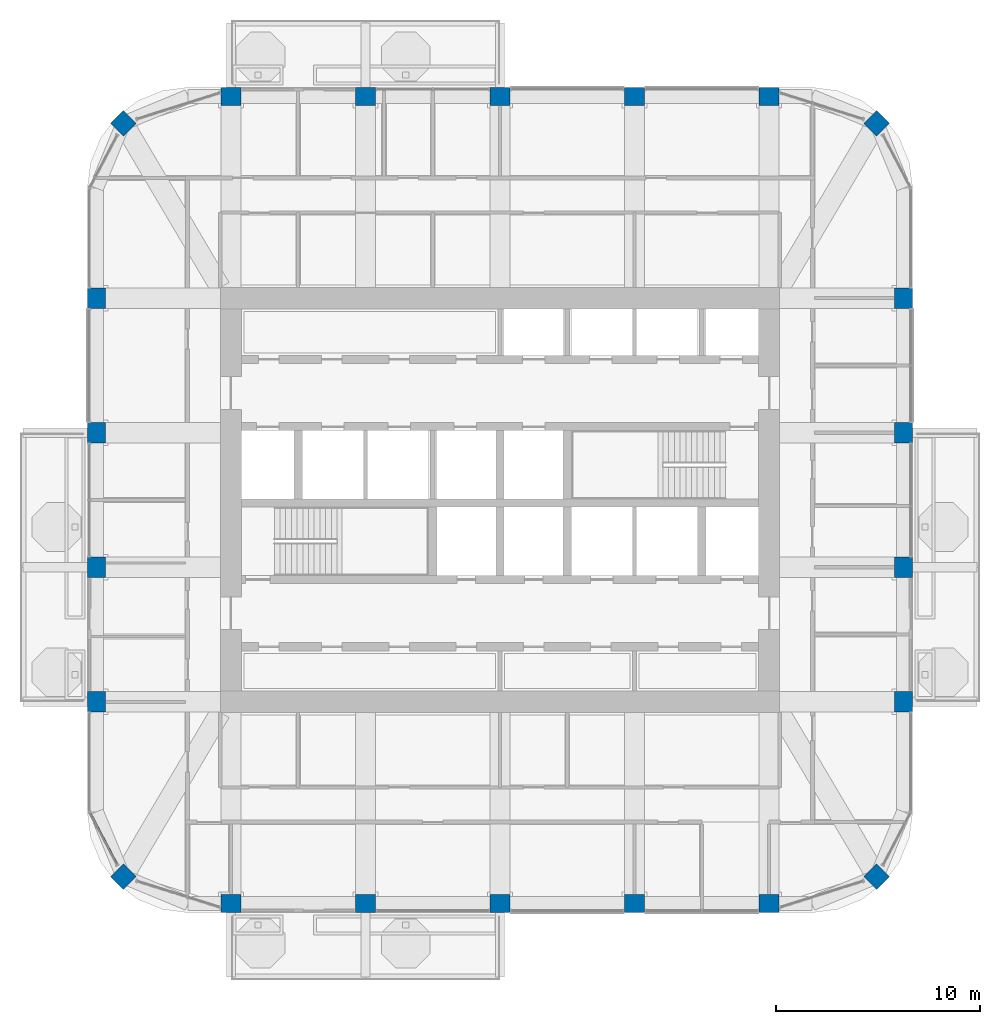
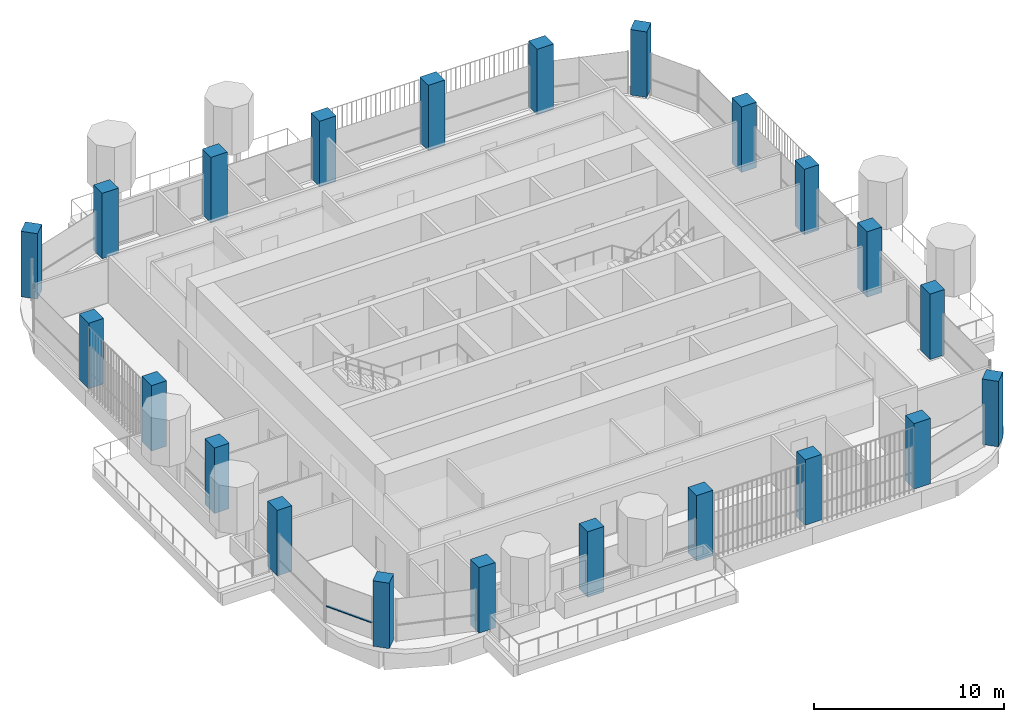
# One storey, part 1 of 20: 22 columns, 1 member, 1 element without a shape of its own.
"""IFC4 building model written with IfcOpenShell, lengths in metres."""

import ifcopenshell
import ifcopenshell.guid

model = None  # the IFC model being written
_history = None  # IfcOwnerHistory: only IFC2X3 demands one
_inside = {}  # id of a spatial element -> (the spatial element, [elements in it])
_under = {}  # id of a project, library or spatial element -> (it, [spatial elements below it])
_declared = {}  # id of a project -> (the project, [libraries it declares])
_typed = {}  # id of a type object -> (the type object, [elements of that type])
_made_of = {}  # id of a material, layer set ... -> (it, [elements and type objects made of it])


def new_model(schema):
    """Start an empty IFC model of exactly this schema.

    Asked for "IFC4X3", IfcOpenShell would pick the latest addendum, in which some entities
    have other attributes; the version numbers below select the first issue.
    IFC2X3 requires an IfcOwnerHistory on every rooted entity: one is made here for all.
    """
    global model, _history
    if schema == "IFC4X3":
        model = ifcopenshell.file(schema_version=(4, 3, 0, 0))
    else:
        model = ifcopenshell.file(schema=schema)
    _inside.clear()
    _under.clear()
    _declared.clear()
    _typed.clear()
    _made_of.clear()
    _history = None
    if model.schema == "IFC2X3":
        org = make("IfcOrganization", Name="unknown")
        user = make(
            "IfcPersonAndOrganization",
            ThePerson=make("IfcPerson", FamilyName="unknown"),
            TheOrganization=org,
        )
        app = make(
            "IfcApplication",
            ApplicationDeveloper=org,
            Version="unknown",
            ApplicationFullName="unknown",
            ApplicationIdentifier="unknown",
        )
        _history = make(
            "IfcOwnerHistory",
            OwningUser=user,
            OwningApplication=app,
            ChangeAction="ADDED",
            CreationDate=0,
        )
    return model


def make(cls, **values):
    """One entity of the class cls with the attributes given. An attribute that is None is left unset."""
    return model.create_entity(
        cls, **{name: value for name, value in values.items() if value is not None}
    )


def rooted(cls, **values):
    """An entity with a GlobalId (a new one), such as an element, a storey or a relation."""
    return make(cls, GlobalId=ifcopenshell.guid.new(), OwnerHistory=_history, **values)


def si_unit(unit_type, name, prefix=None):
    """IfcSIUnit, for example si_unit("LENGTHUNIT", "METRE", prefix="MILLI")."""
    return make("IfcSIUnit", UnitType=unit_type, Prefix=prefix, Name=name)


def assignment(units):
    """IfcUnitAssignment: the units of a project."""
    return None if units is None else make("IfcUnitAssignment", Units=units)


def point(xyz):
    """IfcCartesianPoint."""
    return None if xyz is None else make("IfcCartesianPoint", Coordinates=xyz)


def direction(xyz):
    """IfcDirection."""
    return None if xyz is None else make("IfcDirection", DirectionRatios=xyz)


def frame(location, z_axis=None, x_axis=None):
    """IfcAxis2Placement3D, a coordinate frame: its origin and axes. An axis left out is left unset."""
    return make(
        "IfcAxis2Placement3D",
        Location=point(location),
        Axis=direction(z_axis),
        RefDirection=direction(x_axis),
    )


def frame_2d(location, x_axis=None):
    """IfcAxis2Placement2D, a coordinate frame in the plane: its origin and x axis."""
    return make(
        "IfcAxis2Placement2D", Location=point(location), RefDirection=direction(x_axis)
    )


def origin():
    """The frame at (0, 0, 0) with its axes left unset."""
    return frame((0.0, 0.0, 0.0))


def origin_2d():
    """The frame at (0, 0) in the plane with its x axis left unset."""
    return frame_2d((0.0, 0.0))


def place(relative_to, where):
    """IfcLocalPlacement: puts the frame where relative to a parent placement (None: the world)."""
    return make(
        "IfcLocalPlacement", PlacementRelTo=relative_to, RelativePlacement=where
    )


def context(
    kind, dimensions, precision=None, world=None, true_north=None, identifier=None
):
    """IfcGeometricRepresentationContext, for example the 3D "Model" context."""
    return make(
        "IfcGeometricRepresentationContext",
        ContextIdentifier=identifier,
        ContextType=kind,
        CoordinateSpaceDimension=dimensions,
        Precision=precision,
        WorldCoordinateSystem=world,
        TrueNorth=true_north,
    )


def subcontext(parent, identifier, kind, view, scale=None):
    """IfcGeometricRepresentationSubContext, for example "Body" below "Model"."""
    return make(
        "IfcGeometricRepresentationSubContext",
        ContextIdentifier=identifier,
        ContextType=kind,
        ParentContext=parent,
        TargetScale=scale,
        TargetView=view,
    )


def project(units=None, contexts=None):
    """IfcProject with its units and contexts."""
    return rooted(
        "IfcProject",
        Name="project",
        RepresentationContexts=contexts,
        UnitsInContext=assignment(units),
    )


def spatial(cls, under=None, at=None, **own):
    """A site, building, storey or space (cls), placed at a placement, below another one or the project."""
    s = rooted(cls, ObjectPlacement=at, **own)
    if under is not None:
        _under.setdefault(under.id(), (under, []))[1].append(s)
    return s


def profile(cls, at=None, kind="AREA", **sizes):
    """A parametric profile (cls). Its sizes go by their IFC names, for example OverallWidth=200.0."""
    return make(cls, ProfileType=kind, Position=at, **sizes)


def rectangle(**sizes):
    """IfcRectangleProfileDef."""
    return profile("IfcRectangleProfileDef", **sizes)


def extrude(swept, where, along, depth):
    """IfcExtrudedAreaSolid: the profile swept, set in the frame where, extruded along a direction by depth."""
    return make(
        "IfcExtrudedAreaSolid",
        SweptArea=swept,
        Position=where,
        ExtrudedDirection=direction(along),
        Depth=depth,
    )


def shape(context_of_items, identifier, shape_type, items):
    """IfcShapeRepresentation: the items that make up one representation, for example the "Body"."""
    return make(
        "IfcShapeRepresentation",
        ContextOfItems=context_of_items,
        RepresentationIdentifier=identifier,
        RepresentationType=shape_type,
        Items=items,
    )


def material(Name=None, Category=None):
    """IfcMaterial."""
    return make("IfcMaterial", Name=Name, Category=Category)


def material_profile(
    of_material, cross_section, Name=None, Category=None, Priority=None
):
    """IfcMaterialProfile: a cross section and its material."""
    return make(
        "IfcMaterialProfile",
        Name=Name,
        Material=of_material,
        Profile=cross_section,
        Priority=Priority,
        Category=Category,
    )


def profile_set(profiles, Name=None, composite=None):
    """IfcMaterialProfileSet."""
    return make(
        "IfcMaterialProfileSet",
        Name=Name,
        MaterialProfiles=profiles,
        CompositeProfile=composite,
    )


def made_of(thing, what):
    """Note that an element or type object is made of a material, layer set ...; save() writes the relation."""
    if what is not None:
        _made_of.setdefault(what.id(), (what, []))[1].append(thing)
    return thing


def type_object(cls, material=None, **own):
    """A type object (cls), such as IfcWallType, which elements share."""
    return made_of(rooted(cls, **own), material)


def element(
    cls,
    number,
    at=None,
    inside=None,
    cuts=None,
    type_object=None,
    material=None,
    context=None,
    identifier="Body",
    shape_type=None,
    held_by="IfcProductDefinitionShape",
    body=None,
    shapes=None,
    **own,
):
    """One element of the class cls, such as IfcWall. Its Tag is "e" and its number.

    at: its placement. inside: the storey or other place that contains it. cuts: it is an
    opening in that element (IfcRelVoidsElement). A single representation is given by context,
    identifier, shape_type and body (its items); several are given by shapes. held_by: the class
    of the entity that holds the representations. save() writes the other relations.
    """
    e = rooted(cls, Tag="e%d" % number, ObjectPlacement=at, **own)
    if body is not None:
        shapes = [shape(context, identifier, shape_type, body)]
    if shapes is not None:
        e.Representation = make(held_by, Representations=shapes)
    if inside is not None:
        _inside.setdefault(inside.id(), (inside, []))[1].append(e)
    if cuts is not None:
        rooted(
            "IfcRelVoidsElement", RelatingBuildingElement=cuts, RelatedOpeningElement=e
        )
    if type_object is not None:
        _typed.setdefault(type_object.id(), (type_object, []))[1].append(e)
    return made_of(e, material)


def aggregate(whole, parts):
    """IfcRelAggregates: a whole, such as a stair, and the parts it consists of."""
    return rooted("IfcRelAggregates", RelatingObject=whole, RelatedObjects=parts)


def save(model, path):
    """Write the relations noted so far, then the file.

    IfcRelAggregates (storeys below a building ...), IfcRelContainedInSpatialStructure (elements
    in a storey), IfcRelDefinesByType, IfcRelAssociatesMaterial and IfcRelDeclares: one each for
    every whole, place, type object, material and project.
    """
    for whole, parts in _under.values():
        aggregate(whole, parts)
    for where, things in _inside.values():
        rooted(
            "IfcRelContainedInSpatialStructure",
            RelatedElements=things,
            RelatingStructure=where,
        )
    for kind, things in _typed.values():
        rooted("IfcRelDefinesByType", RelatedObjects=things, RelatingType=kind)
    for what, things in _made_of.values():
        rooted("IfcRelAssociatesMaterial", RelatedObjects=things, RelatingMaterial=what)
    for by, libraries in _declared.values():
        rooted("IfcRelDeclares", RelatingContext=by, RelatedDefinitions=libraries)
    model.write(path)


model = new_model("IFC4")

# Units and contexts
model_context = context("Model", 3, precision=1e-05, world=origin(), true_north=direction((0.0, 1.0)))
body_context = subcontext(model_context, "Body", "Model", "MODEL_VIEW")
ifc_project = project(units=[si_unit("LENGTHUNIT", "METRE"), si_unit("AREAUNIT", "SQUARE_METRE"), si_unit("VOLUMEUNIT", "CUBIC_METRE"), si_unit("PLANEANGLEUNIT", "RADIAN"), si_unit("MASSUNIT", "GRAM", prefix="KILO")], contexts=[model_context])

# Site, building, storey
site_placement = place(None, origin())
site = spatial("IfcSite", under=ifc_project, at=site_placement, CompositionType="ELEMENT")
building_placement = place(site_placement, origin())
building = spatial("IfcBuilding", under=site, at=building_placement, Name="Cobogo Forest Laboratory Tower", CompositionType="ELEMENT")
storey_placement = place(building_placement, frame((0.0, 0.0, 279.60009765625)))
storey = spatial("IfcBuildingStorey", under=building, at=storey_placement, Name="L64", CompositionType="ELEMENT", Elevation=279.60009765625)

# Columns
ifc_material_1 = material(Name="Concrete HA-50 (C50/60)", Category="concrete")
ifc_material_profile_1 = material_profile(ifc_material_1, rectangle(XDim=1.0, YDim=0.89990234375, at=origin_2d()), Name="RC 900x1000")
ifc_profile_set_1 = profile_set([ifc_material_profile_1], Name="Concrete HA-50 (C50/60)")
column_type_1 = type_object("IfcColumnType", Name="Blade column 900x1000", PredefinedType="COLUMN", material=ifc_profile_set_1)
for number, where, z_axis, x_axis, name in (
    (1, (13.199951171875, 3.300048828125, 0.0), (0.0, 0.0, 1.0), (1.0, 0.0, 0.0), "Column 3-A.1 L64"),
    (2, (19.800048828125, 3.300048828125, 0.0), (0.0, 0.0, 1.0), (1.0, 0.0, 0.0), "Column 4-A.1 L64"),
    (3, (26.39990234375, 3.300048828125, 0.0), (0.0, 0.0, 1.0), (1.0, 0.0, 0.0), "Column 5-A.1 L64"),
    (4, (33.0, 3.300048828125, 0.0), (0.0, 0.0, 1.0), (1.0, 0.0, 0.0), "Column 6-A.1 L64"),
    (5, (39.60009765625, 3.300048828125, 0.0), (0.0, 0.0, 1.0), (1.0, 0.0, 0.0), "Column 7-A.1 L64"),
    (6, (6.60009765625, 13.199951171875, 0.0), (0.0, 0.0, 1.0), (0.0, 1.0, 0.0), "Column 2-C L64"),
    (7, (46.199951171875, 13.199951171875, 0.0), (0.0, 0.0, 1.0), (0.0, 1.0, 0.0), "Column 8-C L64"),
    (8, (6.60009765625, 19.800048828125, 0.0), (0.0, 0.0, 1.0), (0.0, 1.0, 0.0), "Column 2-D L64"),
    (9, (46.199951171875, 19.800048828125, 0.0), (0.0, 0.0, 1.0), (0.0, 1.0, 0.0), "Column 8-D L64"),
    (10, (6.60009765625, 26.39990234375, 0.0), (0.0, 0.0, 1.0), (0.0, 1.0, 0.0), "Column 2-E L64"),
    (11, (46.199951171875, 26.39990234375, 0.0), (0.0, 0.0, 1.0), (0.0, 1.0, 0.0), "Column 8-E L64"),
    (12, (6.60009765625, 33.0, 0.0), (0.0, 0.0, 1.0), (0.0, 1.0, 0.0), "Column 2-F L64"),
    (13, (46.199951171875, 33.0, 0.0), (0.0, 0.0, 1.0), (0.0, 1.0, 0.0), "Column 8-F L64"),
    (14, (13.199951171875, 42.89990234375, 0.0), (0.0, 0.0, 1.0), (1.0, 0.0, 0.0), "Column 3-G.1 L64"),
    (15, (19.800048828125, 42.89990234375, 0.0), (0.0, 0.0, 1.0), (1.0, 0.0, 0.0), "Column 4-G.1 L64"),
    (16, (26.39990234375, 42.89990234375, 0.0), (0.0, 0.0, 1.0), (1.0, 0.0, 0.0), "Column 5-G.1 L64"),
    (17, (33.0, 42.89990234375, 0.0), (0.0, 0.0, 1.0), (1.0, 0.0, 0.0), "Column 6-G.1 L64"),
    (18, (39.60009765625, 42.89990234375, 0.0), (0.0, 0.0, 1.0), (1.0, 0.0, 0.0), "Column 7-G.1 L64"),
):
    element("IfcColumn", number, at=place(storey_placement, frame(where, z_axis=z_axis, x_axis=x_axis)), inside=storey, type_object=column_type_1, Name=name, PredefinedType="COLUMN", context=body_context, shape_type="SweptSolid", body=[
        extrude(rectangle(XDim=1.0, YDim=0.89990234375, at=origin_2d()), origin(), (0.0, 0.0, 1.0), 4.199951171875),
    ])
ifc_material_profile_2 = material_profile(ifc_material_1, rectangle(XDim=0.89990234375, YDim=0.89990234375, at=origin_2d()), Name="RC 900x900")
ifc_profile_set_2 = profile_set([ifc_material_profile_2], Name="Concrete HA-50 (C50/60)")
column_type_2 = type_object("IfcColumnType", Name="Column 900x900", PredefinedType="COLUMN", material=ifc_profile_set_2)
for number, where, z_axis, x_axis, name in (
    (19, (7.91796875, 4.617919921875, 0.0), (0.0, 0.0, 1.0), (0.707106781187, 0.707106781187, 0.0), "Column CNR-SW L64"),
    (20, (44.882080078125, 4.617919921875, 0.0), (0.0, 0.0, 1.0), (0.707106781187, 0.707106781187, 0.0), "Column CNR-SE L64"),
    (21, (7.91796875, 41.58203125, 0.0), (0.0, 0.0, 1.0), (0.707106781187, 0.707106781187, 0.0), "Column CNR-NW L64"),
    (22, (44.882080078125, 41.58203125, 0.0), (0.0, 0.0, 1.0), (0.707106781187, 0.707106781187, 0.0), "Column CNR-NE L64"),
):
    element("IfcColumn", number, at=place(storey_placement, frame(where, z_axis=z_axis, x_axis=x_axis)), inside=storey, type_object=column_type_2, Name=name, PredefinedType="COLUMN", context=body_context, shape_type="SweptSolid", body=[
        extrude(rectangle(XDim=0.89990234375, YDim=0.89990234375, at=origin_2d()), origin(), (0.0, 0.0, 1.0), 4.199951171875),
    ])

# Curtain wall, member
ifc_material_2 = material(Name="Aluminium curtain wall", Category="aluminium")
curtain_wall_type = type_object("IfcCurtainWallType", Name="CW-2 unitised curtain wall, solar control glazing, laboratory floors zones C and D", PredefinedType="USERDEFINED", material=ifc_material_2)
curtain_wall_placement = place(storey_placement, origin())
curtain_wall = element("IfcCurtainWall", 23, at=curtain_wall_placement, inside=storey, type_object=curtain_wall_type, Name="Curtain wall 25 L64", ObjectType="UNITISED CURTAIN WALL", PredefinedType="USERDEFINED")
ifc_material_3 = material(Name="Aluminium transom", Category="aluminium")
ifc_material_profile_3 = material_profile(ifc_material_3, rectangle(XDim=0.1201171875, YDim=0.06005859375, at=origin_2d()), Name="AL 60x120")
ifc_profile_set_3 = profile_set([ifc_material_profile_3], Name="Aluminium transom")
member_type = type_object("IfcMemberType", Name="TR-1 aluminium transom 60x120", PredefinedType="USERDEFINED", material=ifc_profile_set_3)
member_placement = place(storey_placement, frame((6.27783203125, 7.746826171875, 1.0498046875), z_axis=(0.46430944806, -0.885673041501, 0.0), x_axis=(0.885673041501, 0.46430944806, 0.0)))
member = element("IfcMember", 24, at=member_placement, type_object=member_type, Name="CW-2 transom 1.1", ObjectType="TRANSOM", PredefinedType="USERDEFINED", context=body_context, shape_type="SweptSolid", body=[
    extrude(rectangle(XDim=0.1201171875, YDim=0.06005859375, at=origin_2d()), origin(), (0.0, 0.0, 1.0), 2.865234375),
])
aggregate(curtain_wall, [member])

save(model, "model.ifc")
